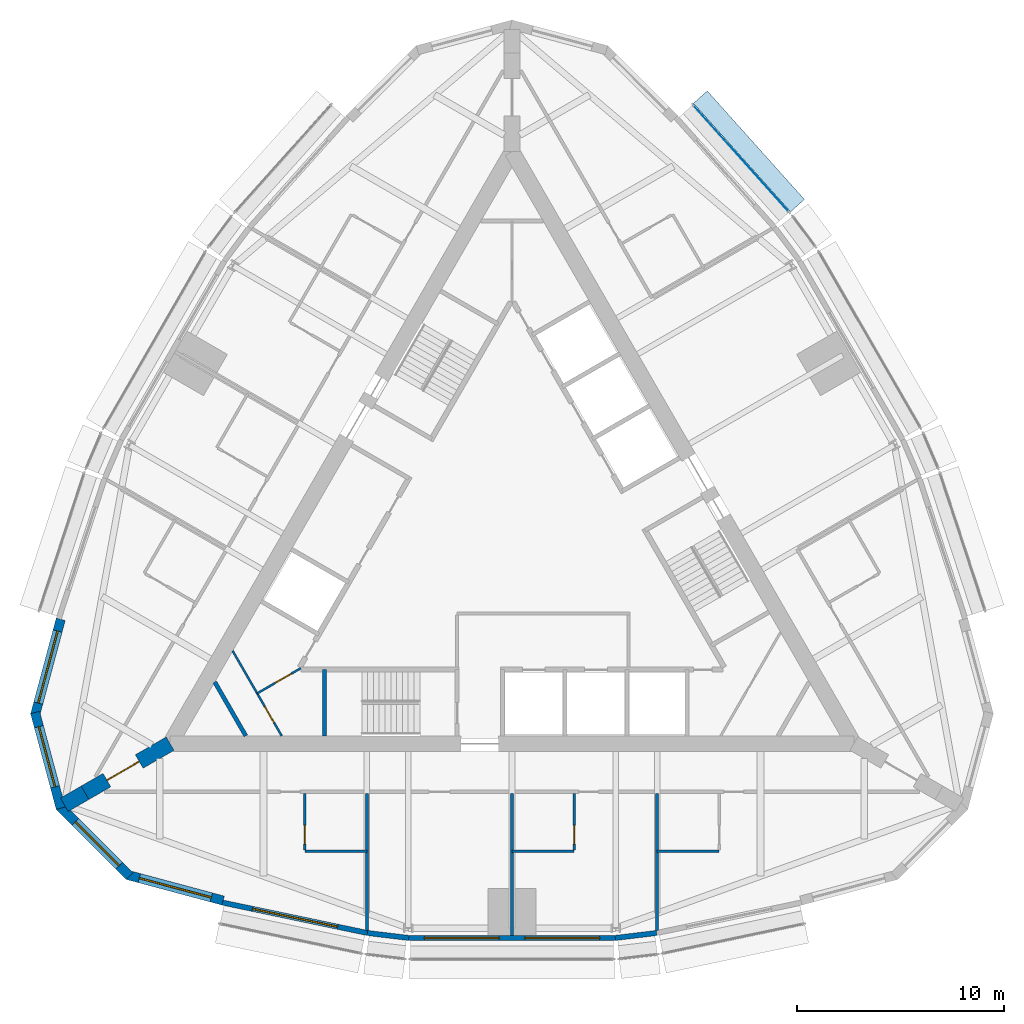
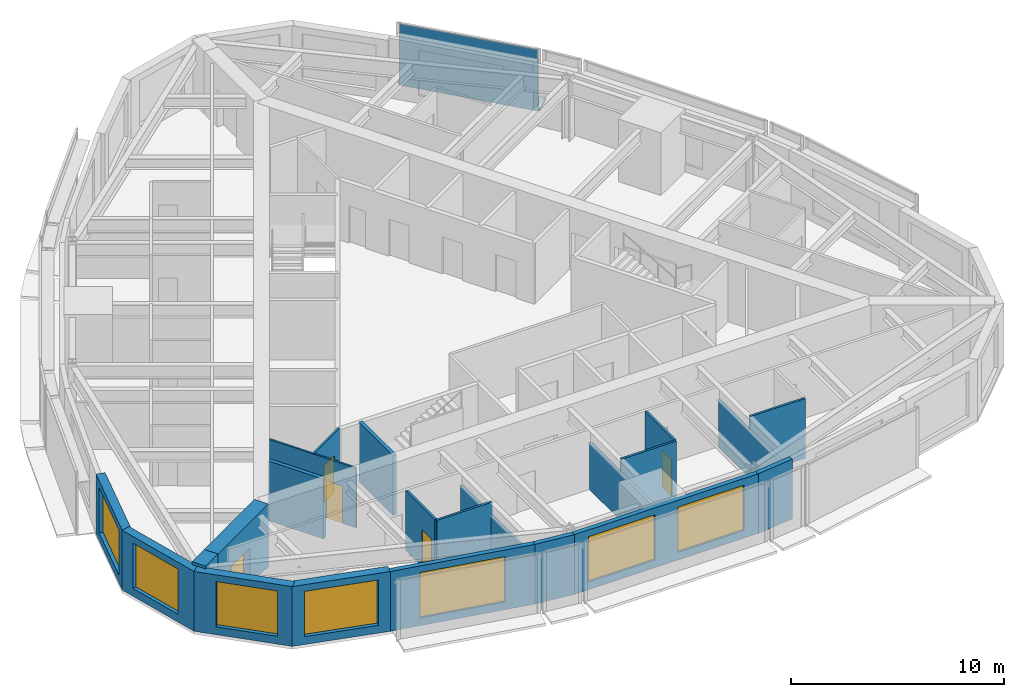
# One storey, part 7 of 12: 22 walls, 7 windows, 5 doors, 2 plates, 12 openings, 1 element without a shape of its own.
"""IFC4 building model written with IfcOpenShell, lengths in metres."""

from ifc_helpers import new_model, si_unit, direction, frame, frame_2d, origin, origin_2d, place, context, subcontext, project, spatial, polyline, rectangle, outline, extrude, material, layer, layer_set, type_object, element, fill, aggregate, save


model = new_model("IFC4")

# Units and contexts
model_context = context("Model", 3, precision=1e-05, world=origin(), true_north=direction((0.0, 1.0)))
body_context = subcontext(model_context, "Body", "Model", "MODEL_VIEW")
ifc_project = project(units=[si_unit("LENGTHUNIT", "METRE"), si_unit("AREAUNIT", "SQUARE_METRE"), si_unit("VOLUMEUNIT", "CUBIC_METRE"), si_unit("PLANEANGLEUNIT", "RADIAN"), si_unit("MASSUNIT", "GRAM", prefix="KILO")], contexts=[model_context])

# Site, building, storey
site_placement = place(None, origin())
site = spatial("IfcSite", under=ifc_project, at=site_placement, CompositionType="ELEMENT")
building_placement = place(site_placement, origin())
building = spatial("IfcBuilding", under=site, at=building_placement, Name="Trikona Tower", CompositionType="ELEMENT")
storey_placement = place(building_placement, frame((0.0, 0.0, 242.89990234375)))
storey = spatial("IfcBuildingStorey", under=building, at=storey_placement, Name="L64", CompositionType="ELEMENT", Elevation=242.89990234375)

# Curtain wall, plate
ifc_material_1 = material(Name="Aluminium curtain wall system", Category="aluminium")
curtain_wall_type = type_object("IfcCurtainWallType", Name="Curtain wall DS3", PredefinedType="NOTDEFINED", material=ifc_material_1)
curtain_wall_placement = place(storey_placement, origin())
curtain_wall = element("IfcCurtainWall", 1, at=curtain_wall_placement, inside=storey, type_object=curtain_wall_type, Name="Curtain wall DS3 L64", PredefinedType="NOTDEFINED")
ifc_material_2 = material(Name="Laminated clear glass", Category="glass")
ifc_layer_1 = layer(ifc_material_2, 0.028076171875)
ifc_layer_set_1 = layer_set([ifc_layer_1], Name="Glass panel DS3")
plate_type_1 = type_object("IfcPlateType", Name="Glass panel DS3", PredefinedType="CURTAIN_PANEL", material=ifc_layer_set_1)
plate_1_placement = place(storey_placement, frame((11.056884765625, 18.7216796875, 0.0), z_axis=(0.0, 0.0, 1.0), x_axis=(-0.667319643748, 0.744771436797, 0.0)))
plate_1 = element("IfcPlate", 2, at=plate_1_placement, type_object=plate_type_1, Name="CW-DS3 panel 1.1", PredefinedType="CURTAIN_PANEL", context=body_context, shape_type="SweptSolid", body=[
    extrude(rectangle(XDim=6.892822265625, YDim=0.028076171875, at=origin_2d()), origin(), (0.0, 0.0, 1.0), 3.530029296875),
])
aggregate(curtain_wall, [plate_1])

# Plate
ifc_material_3 = material(Name="Aluminium plate fin, pale anodised, on stainless steel outriggers", Category="steel")
ifc_layer_2 = layer(ifc_material_3, 0.14990234375)
ifc_layer_set_2 = layer_set([ifc_layer_2], Name="Outer skin fin 900")
plate_type_2 = type_object("IfcPlateType", Name="Outer skin fin 900", PredefinedType="USERDEFINED", material=ifc_layer_set_2)
plate_2_placement = place(storey_placement, frame((11.436767578125, 19.06201171875, 0.000244140625), z_axis=(0.0, 0.0, 1.0), x_axis=(-0.667311465398, 0.744778764566, 0.0)))
element("IfcPlate", 3, at=plate_2_placement, inside=storey, type_object=plate_type_2, Name="Outer skin fin L64-13", ObjectType="FIN", PredefinedType="USERDEFINED", context=body_context, shape_type="SweptSolid", body=[
    extrude(rectangle(XDim=7.03271484375, YDim=0.89990234375, at=origin_2d()), origin(), (0.0, 0.0, 1.0), 0.14990234375),
])

# Wall
ifc_material_4 = material(Name="Metal stud and cement board", Category="gypsum")
ifc_layer_3 = layer(ifc_material_4, 0.1201171875)
ifc_layer_set_3 = layer_set([ifc_layer_3], Name="Bathroom wall 120")
wall_type_1 = type_object("IfcWallType", Name="Bathroom wall 120", PredefinedType="PLUMBINGWALL", material=ifc_layer_set_3)
wall_1_placement = place(storey_placement, frame((-10.0, -14.726318359375, 0.0), z_axis=(0.0, 0.0, 1.0), x_axis=(1.0, 0.0, 0.0)))
element("IfcWall", 4, at=wall_1_placement, inside=storey, type_object=wall_type_1, Name="Bathroom wall 6401", PredefinedType="PLUMBINGWALL", context=body_context, shape_type="SweptSolid", body=[
    extrude(rectangle(XDim=3.0, YDim=0.1201171875, at=frame_2d((1.5, 0.0))), origin(), (0.0, 0.0, 1.0), 3.43505859375),
])

# Wall, opening, door
wall_2_placement = place(storey_placement, frame((-10.0, -11.92626953125, 0.0), z_axis=(0.0, 0.0, 1.0), x_axis=(0.0, -1.0, 0.0)))
wall_2 = element("IfcWall", 5, at=wall_2_placement, inside=storey, type_object=wall_type_1, Name="Bathroom wall 6401", PredefinedType="PLUMBINGWALL", context=body_context, shape_type="SweptSolid", body=[
    extrude(rectangle(XDim=2.739990234375, YDim=0.1201171875, at=frame_2d((1.3701171875, 0.0))), origin(), (0.0, 0.0, 1.0), 3.43505859375),
])
opening_1_placement = place(wall_2_placement, frame((1.550048828125, 0.0, 0.0)))
opening_1 = element("IfcOpeningElement", 6, at=opening_1_placement, cuts=wall_2, Name="Opening D2", PredefinedType="OPENING", context=body_context, shape_type="SweptSolid", body=[
    extrude(rectangle(XDim=0.89990234375, YDim=2.1298828125, at=frame_2d((0.449951171875, 1.06494140625))), frame((0.0, 0.070068359375, 0.0), z_axis=(0.0, -1.0, 0.0), x_axis=(1.0, 0.0, 0.0)), (0.0, 0.0, 1.0), 0.14013671875),
])
ifc_material_5 = material(Name="Steel door frame with solid-core timber leaf", Category="steel")
door_type_1 = type_object("IfcDoorType", Name="Bathroom door 900x2130", OperationType="SLIDING_TO_LEFT", PredefinedType="DOOR", material=ifc_material_5)
door_1_placement = place(opening_1_placement, origin())
door_1 = element("IfcDoor", 7, at=door_1_placement, inside=storey, type_object=door_type_1, Name="Bathroom door 6401", OperationType="SLIDING_TO_LEFT", OverallHeight=2.1298828125, OverallWidth=0.89990234375, PredefinedType="DOOR", context=body_context, shape_type="SweptSolid", body=[
    extrude(rectangle(XDim=0.89990234375, YDim=2.1298828125, at=frame_2d((0.449951171875, 1.06494140625))), frame((0.0, 0.02490234375, 0.0), z_axis=(0.0, -1.0, 0.0), x_axis=(1.0, 0.0, 0.0)), (0.0, 0.0, 1.0), 0.050048828125),
])
fill(opening_1, door_1)

# Wall
wall_3_placement = place(storey_placement, frame((0.0, -14.726318359375, 0.0), z_axis=(0.0, 0.0, 1.0), x_axis=(1.0, 0.0, 0.0)))
element("IfcWall", 8, at=wall_3_placement, inside=storey, type_object=wall_type_1, Name="Bathroom wall 6402", PredefinedType="PLUMBINGWALL", context=body_context, shape_type="SweptSolid", body=[
    extrude(rectangle(XDim=3.0, YDim=0.1201171875, at=frame_2d((1.5, 0.0))), origin(), (0.0, 0.0, 1.0), 3.43505859375),
])

# Wall, opening, door
wall_4_placement = place(storey_placement, frame((3.0, -11.92626953125, 0.0), z_axis=(0.0, 0.0, 1.0), x_axis=(0.0, -1.0, 0.0)))
wall_4 = element("IfcWall", 9, at=wall_4_placement, inside=storey, type_object=wall_type_1, Name="Bathroom wall 6402", PredefinedType="PLUMBINGWALL", context=body_context, shape_type="SweptSolid", body=[
    extrude(rectangle(XDim=2.739990234375, YDim=0.1201171875, at=frame_2d((1.3701171875, 0.0))), origin(), (0.0, 0.0, 1.0), 3.43505859375),
])
opening_2_placement = place(wall_4_placement, frame((1.550048828125, 0.0, 0.0)))
opening_2 = element("IfcOpeningElement", 10, at=opening_2_placement, cuts=wall_4, Name="Opening D2", PredefinedType="OPENING", context=body_context, shape_type="SweptSolid", body=[
    extrude(rectangle(XDim=0.89990234375, YDim=2.1298828125, at=frame_2d((0.449951171875, 1.06494140625))), frame((0.0, 0.070068359375, 0.0), z_axis=(0.0, -1.0, 0.0), x_axis=(1.0, 0.0, 0.0)), (0.0, 0.0, 1.0), 0.14013671875),
])
door_2_placement = place(opening_2_placement, origin())
door_2 = element("IfcDoor", 11, at=door_2_placement, inside=storey, type_object=door_type_1, Name="Bathroom door 6402", OperationType="SLIDING_TO_LEFT", OverallHeight=2.1298828125, OverallWidth=0.89990234375, PredefinedType="DOOR", context=body_context, shape_type="SweptSolid", body=[
    extrude(rectangle(XDim=0.89990234375, YDim=2.1298828125, at=frame_2d((0.449951171875, 1.06494140625))), frame((0.0, 0.02490234375, 0.0), z_axis=(0.0, -1.0, 0.0), x_axis=(1.0, 0.0, 0.0)), (0.0, 0.0, 1.0), 0.050048828125),
])
fill(opening_2, door_2)

# Wall
wall_5_placement = place(storey_placement, frame((7.0, -14.726318359375, 0.0), z_axis=(0.0, 0.0, 1.0), x_axis=(1.0, 0.0, 0.0)))
element("IfcWall", 12, at=wall_5_placement, inside=storey, type_object=wall_type_1, Name="Bathroom wall 6403", PredefinedType="PLUMBINGWALL", context=body_context, shape_type="SweptSolid", body=[
    extrude(rectangle(XDim=3.0, YDim=0.1201171875, at=frame_2d((1.5, 0.0))), origin(), (0.0, 0.0, 1.0), 3.43505859375),
])

# Wall, opening, window
ifc_material_6 = material(Name="Brick-faced precast concrete", Category="masonry")
ifc_layer_4 = layer(ifc_material_6, 0.449951171875)
ifc_layer_set_4 = layer_set([ifc_layer_4], Name="Brick-faced corner wall 450")
wall_type_2 = type_object("IfcWallType", Name="Brick-faced corner wall 450", PredefinedType="SOLIDWALL", material=ifc_layer_set_4)
wall_6_placement = place(storey_placement, frame((-21.78271484375, -3.522216796875, 0.0), z_axis=(0.0, 0.0, 1.0), x_axis=(-0.25880328844, -0.965930048136, 0.0)))
wall_6 = element("IfcWall", 13, at=wall_6_placement, inside=storey, type_object=wall_type_2, Name="External wall L64-23", PredefinedType="SOLIDWALL", context=body_context, shape_type="SweptSolid", body=[
    extrude(rectangle(XDim=4.78173828125, YDim=0.449951171875, at=frame_2d((2.390869140625, 0.0))), origin(), (0.0, 0.0, 1.0), 3.43505859375),
])
opening_3_placement = place(wall_6_placement, frame((0.5908203125, 0.0, 0.449951171875)))
opening_3 = element("IfcOpeningElement", 14, at=opening_3_placement, cuts=wall_6, Name="Opening W3626", PredefinedType="OPENING", context=body_context, shape_type="SweptSolid", body=[
    extrude(rectangle(XDim=3.60009765625, YDim=2.60009765625, at=frame_2d((1.800048828125, 1.300048828125))), frame((0.0, 0.23486328125, 0.0), z_axis=(0.0, -1.0, 0.0), x_axis=(1.0, 0.0, 0.0)), (0.0, 0.0, 1.0), 0.469970703125),
])
ifc_material_7 = material(Name="Aluminium-framed double glazing", Category="aluminium")
window_type_1 = type_object("IfcWindowType", Name="Window 3600x2600", PartitioningType="SINGLE_PANEL", PredefinedType="WINDOW", material=ifc_material_7)
window_1_placement = place(opening_3_placement, origin())
window_1 = element("IfcWindow", 15, at=window_1_placement, inside=storey, type_object=window_type_1, Name="Window 6409", OverallHeight=2.60009765625, OverallWidth=3.60009765625, PartitioningType="SINGLE_PANEL", PredefinedType="WINDOW", context=body_context, shape_type="SweptSolid", body=[
    extrude(rectangle(XDim=3.60009765625, YDim=2.60009765625, at=frame_2d((1.800048828125, 1.300048828125))), frame((0.0, 0.030029296875, 0.0), z_axis=(0.0, -1.0, 0.0), x_axis=(1.0, 0.0, 0.0)), (0.0, 0.0, 1.0), 0.06005859375),
])
fill(opening_3, window_1)

wall_7_placement = place(storey_placement, frame((-23.020263671875, -8.024658203125, 0.0), z_axis=(0.0, 0.0, 1.0), x_axis=(0.25880328844, -0.965930048136, 0.0)))
wall_7 = element("IfcWall", 16, at=wall_7_placement, inside=storey, type_object=wall_type_2, Name="External wall L64-24", PredefinedType="SOLIDWALL", context=body_context, shape_type="SweptSolid", body=[
    extrude(outline(polyline([(4.78173828125, 0.22509765625), (4.72216796875, 0.22509765625), (4.302978515625, 0.112548828125), (4.27294921875, 0.22509765625), (0.0, 0.22509765625), (0.0, -0.22509765625), (4.78173828125, -0.22509765625), (4.78173828125, 0.22509765625)])), origin(), (0.0, 0.0, 1.0), 3.43505859375),
])
opening_4_placement = place(wall_7_placement, frame((0.71142578125, 0.0, 0.449951171875)))
opening_4 = element("IfcOpeningElement", 17, at=opening_4_placement, cuts=wall_7, Name="Opening W3026", PredefinedType="OPENING", context=body_context, shape_type="SweptSolid", body=[
    extrude(rectangle(XDim=3.0, YDim=2.60009765625, at=frame_2d((1.5, 1.300048828125))), frame((0.0, 0.23486328125, 0.0), z_axis=(0.0, -1.0, 0.0), x_axis=(1.0, 0.0, 0.0)), (0.0, 0.0, 1.0), 0.469970703125),
])
ifc_material_8 = material(Name="Aluminium-framed double glazing", Category="aluminium")
window_type_2 = type_object("IfcWindowType", Name="Window 3000x2600", PartitioningType="SINGLE_PANEL", PredefinedType="WINDOW", material=ifc_material_8)
window_2_placement = place(opening_4_placement, origin())
window_2 = element("IfcWindow", 18, at=window_2_placement, inside=storey, type_object=window_type_2, Name="Window 6409", OverallHeight=2.60009765625, OverallWidth=3.0, PartitioningType="SINGLE_PANEL", PredefinedType="WINDOW", context=body_context, shape_type="SweptSolid", body=[
    extrude(rectangle(XDim=3.0, YDim=2.60009765625, at=frame_2d((1.5, 1.300048828125))), frame((0.0, 0.030029296875, 0.0), z_axis=(0.0, -1.0, 0.0), x_axis=(1.0, 0.0, 0.0)), (0.0, 0.0, 1.0), 0.06005859375),
])
fill(opening_4, window_2)

wall_8_placement = place(storey_placement, frame((-21.8408203125, -12.54248046875, 0.0), z_axis=(0.0, 0.0, 1.0), x_axis=(0.707081252484, -0.707132308968, 0.0)))
wall_8 = element("IfcWall", 19, at=wall_8_placement, inside=storey, type_object=wall_type_2, Name="External wall L64-25", PredefinedType="SOLIDWALL", context=body_context, shape_type="SweptSolid", body=[
    extrude(outline(polyline([(4.78173828125, 0.22509765625), (0.5087890625, 0.22509765625), (0.478759765625, 0.112548828125), (0.058837890625, 0.22509765625), (0.0, 0.22509765625), (0.0, -0.22509765625), (4.78173828125, -0.22509765625), (4.78173828125, 0.22509765625)])), origin(), (0.0, 0.0, 1.0), 3.43505859375),
])
opening_5_placement = place(wall_8_placement, frame((1.0703125, 0.0, 0.449951171875)))
opening_5 = element("IfcOpeningElement", 20, at=opening_5_placement, cuts=wall_8, Name="Opening W3026", PredefinedType="OPENING", context=body_context, shape_type="SweptSolid", body=[
    extrude(rectangle(XDim=3.0, YDim=2.60009765625, at=frame_2d((1.5, 1.300048828125))), frame((0.0, 0.23486328125, 0.0), z_axis=(0.0, -1.0, 0.0), x_axis=(1.0, 0.0, 0.0)), (0.0, 0.0, 1.0), 0.469970703125),
])
window_3_placement = place(opening_5_placement, origin())
window_3 = element("IfcWindow", 21, at=window_3_placement, inside=storey, type_object=window_type_2, Name="Window 6401", OverallHeight=2.60009765625, OverallWidth=3.0, PartitioningType="SINGLE_PANEL", PredefinedType="WINDOW", context=body_context, shape_type="SweptSolid", body=[
    extrude(rectangle(XDim=3.0, YDim=2.60009765625, at=frame_2d((1.5, 1.300048828125))), frame((0.0, 0.030029296875, 0.0), z_axis=(0.0, -1.0, 0.0), x_axis=(1.0, 0.0, 0.0)), (0.0, 0.0, 1.0), 0.06005859375),
])
fill(opening_5, window_3)

wall_9_placement = place(storey_placement, frame((-18.560546875, -15.865478515625, 0.0), z_axis=(0.0, 0.0, 1.0), x_axis=(0.965913862671, -0.258863689806, 0.0)))
wall_9 = element("IfcWall", 22, at=wall_9_placement, inside=storey, type_object=wall_type_2, Name="External wall L64-26", PredefinedType="SOLIDWALL", context=body_context, shape_type="SweptSolid", body=[
    extrude(rectangle(XDim=4.78173828125, YDim=0.449951171875, at=frame_2d((2.390869140625, 0.0))), origin(), (0.0, 0.0, 1.0), 3.43505859375),
])
opening_6_placement = place(wall_9_placement, frame((0.5908203125, 0.0, 0.449951171875)))
opening_6 = element("IfcOpeningElement", 23, at=opening_6_placement, cuts=wall_9, Name="Opening W3626", PredefinedType="OPENING", context=body_context, shape_type="SweptSolid", body=[
    extrude(rectangle(XDim=3.60009765625, YDim=2.60009765625, at=frame_2d((1.800048828125, 1.300048828125))), frame((0.0, 0.23486328125, 0.0), z_axis=(0.0, -1.0, 0.0), x_axis=(1.0, 0.0, 0.0)), (0.0, 0.0, 1.0), 0.469970703125),
])
window_4_placement = place(opening_6_placement, origin())
window_4 = element("IfcWindow", 24, at=window_4_placement, inside=storey, type_object=window_type_1, Name="Window 6401", OverallHeight=2.60009765625, OverallWidth=3.60009765625, PartitioningType="SINGLE_PANEL", PredefinedType="WINDOW", context=body_context, shape_type="SweptSolid", body=[
    extrude(rectangle(XDim=3.60009765625, YDim=2.60009765625, at=frame_2d((1.800048828125, 1.300048828125))), frame((0.0, 0.030029296875, 0.0), z_axis=(0.0, -1.0, 0.0), x_axis=(1.0, 0.0, 0.0)), (0.0, 0.0, 1.0), 0.06005859375),
])
fill(opening_6, window_4)

# Wall, opening, door
ifc_material_9 = material(Name="Concrete f'c 10000 psi", Category="concrete")
ifc_layer_5 = layer(ifc_material_9, 0.75)
ifc_layer_set_5 = layer_set([ifc_layer_5], Name="Buttress wall 750")
wall_type_3 = type_object("IfcWallType", Name="Buttress wall 750", PredefinedType="SHEAR", material=ifc_layer_set_5)
wall_10_placement = place(storey_placement, frame((-16.5, -9.5263671875, 0.0), z_axis=(0.0, 0.0, 1.0), x_axis=(-0.866031398331, -0.499989616998, 0.0)))
wall_10 = element("IfcWall", 25, at=wall_10_placement, inside=storey, type_object=wall_type_3, Name="Buttress wall 3", PredefinedType="SHEAR", context=body_context, shape_type="SweptSolid", body=[
    extrude(rectangle(XDim=4.74609375, YDim=0.75, at=frame_2d((2.373046875, 0.0))), origin(), (0.0, 0.0, 1.0), 3.60009765625),
])
opening_7_placement = place(wall_10_placement, frame((1.72509765625, 0.0, 0.0)))
opening_7 = element("IfcOpeningElement", 26, at=opening_7_placement, cuts=wall_10, Name="Opening D10", PredefinedType="OPENING", context=body_context, shape_type="SweptSolid", body=[
    extrude(rectangle(XDim=1.800048828125, YDim=2.1298828125, at=frame_2d((0.89990234375, 1.06494140625))), frame((0.0, 0.385009765625, 0.0), z_axis=(0.0, -1.0, 0.0), x_axis=(1.0, 0.0, 0.0)), (0.0, 0.0, 1.0), 0.77001953125),
])
ifc_material_10 = material(Name="Hollow metal door and frame", Category="steel")
door_type_2 = type_object("IfcDoorType", Name="Cross-corridor door pair 1800x2130", OperationType="DOUBLE_DOOR_DOUBLE_SWING", PredefinedType="DOOR", material=ifc_material_10)
door_3_placement = place(opening_7_placement, origin())
door_3 = element("IfcDoor", 27, at=door_3_placement, inside=storey, type_object=door_type_2, Name="Cross-corridor door 3", OperationType="DOUBLE_DOOR_DOUBLE_SWING", OverallHeight=2.1298828125, OverallWidth=1.800048828125, PredefinedType="DOOR", context=body_context, shape_type="SweptSolid", body=[
    extrude(rectangle(XDim=1.800048828125, YDim=2.1298828125, at=frame_2d((0.89990234375, 1.06494140625))), frame((0.0, 0.02490234375, 0.0), z_axis=(0.0, -1.0, 0.0), x_axis=(1.0, 0.0, 0.0)), (0.0, 0.0, 1.0), 0.050048828125),
])
fill(opening_7, door_3)

# Wall
wall_11_placement = place(storey_placement, frame((-20.6103515625, -11.8994140625, 0.0), z_axis=(0.0, 0.0, 1.0), x_axis=(-0.866009537788, -0.500027479704, 0.0)))
element("IfcWall", 28, at=wall_11_placement, inside=storey, type_object=wall_type_3, Name="Buttress wall 3 part 2", PredefinedType="SHEAR", context=body_context, shape_type="SweptSolid", body=[
    extrude(rectangle(XDim=1.15478515625, YDim=0.75, at=frame_2d((0.577392578125, 0.0))), origin(), (0.0, 0.0, 1.0), 3.60009765625),
])

# Wall, opening, window
ifc_material_11 = material(Name="Insulated precast concrete spandrel panel", Category="concrete")
ifc_layer_6 = layer(ifc_material_11, 0.25)
ifc_layer_set_6 = layer_set([ifc_layer_6], Name="Inner skin wall 250")
wall_type_4 = type_object("IfcWallType", Name="Inner skin wall 250", PredefinedType="STANDARD", material=ifc_layer_set_6)
wall_12_placement = place(storey_placement, frame((-13.974365234375, -17.1982421875, 0.0), z_axis=(0.0, 0.0, 1.0), x_axis=(0.978654320409, -0.205513311355, 0.0)))
wall_12 = element("IfcWall", 29, at=wall_12_placement, inside=storey, type_object=wall_type_4, Name="External wall L64-00", PredefinedType="STANDARD", context=body_context, shape_type="SweptSolid", body=[
    extrude(rectangle(XDim=7.152587890625, YDim=0.25, at=frame_2d((3.576171875, 0.0))), origin(), (0.0, 0.0, 1.0), 3.43505859375),
])
opening_8_placement = place(wall_12_placement, frame((1.476318359375, 0.0, 0.449951171875)))
opening_8 = element("IfcOpeningElement", 30, at=opening_8_placement, cuts=wall_12, Name="Opening W4226", PredefinedType="OPENING", context=body_context, shape_type="SweptSolid", body=[
    extrude(rectangle(XDim=4.199951171875, YDim=2.60009765625, at=frame_2d((2.10009765625, 1.300048828125))), frame((0.0, 0.135009765625, 0.0), z_axis=(0.0, -1.0, 0.0), x_axis=(1.0, 0.0, 0.0)), (0.0, 0.0, 1.0), 0.27001953125),
])
ifc_material_12 = material(Name="Aluminium-framed double glazing", Category="aluminium")
window_type_3 = type_object("IfcWindowType", Name="Window 4200x2600", PartitioningType="SINGLE_PANEL", PredefinedType="WINDOW", material=ifc_material_12)
window_5_placement = place(opening_8_placement, origin())
window_5 = element("IfcWindow", 31, at=window_5_placement, inside=storey, type_object=window_type_3, Name="Window 6401", OverallHeight=2.60009765625, OverallWidth=4.199951171875, PartitioningType="SINGLE_PANEL", PredefinedType="WINDOW", context=body_context, shape_type="SweptSolid", body=[
    extrude(rectangle(XDim=4.199951171875, YDim=2.60009765625, at=frame_2d((2.10009765625, 1.300048828125))), frame((0.0, 0.030029296875, 0.0), z_axis=(0.0, -1.0, 0.0), x_axis=(1.0, 0.0, 0.0)), (0.0, 0.0, 1.0), 0.06005859375),
])
fill(opening_8, window_5)

# Wall
wall_13_placement = place(storey_placement, frame((-6.985107421875, -18.66650390625, 0.0), z_axis=(0.0, 0.0, 1.0), x_axis=(0.992877411981, -0.119140441403, 0.0)))
element("IfcWall", 32, at=wall_13_placement, inside=storey, type_object=wall_type_4, Name="External wall L64-01", PredefinedType="STANDARD", context=body_context, shape_type="SweptSolid", body=[
    extrude(rectangle(XDim=2.014404296875, YDim=0.25, at=frame_2d((1.00732421875, 0.0))), origin(), (0.0, 0.0, 1.0), 3.43505859375),
])

# Wall, openings, windows
wall_14_placement = place(storey_placement, frame((-5.0, -18.905517578125, 0.0), z_axis=(0.0, 0.0, 1.0), x_axis=(1.0, 0.0, 0.0)))
wall_14 = element("IfcWall", 33, at=wall_14_placement, inside=storey, type_object=wall_type_4, Name="External wall L64-02", PredefinedType="STANDARD", context=body_context, shape_type="SweptSolid", body=[
    extrude(rectangle(XDim=10.0, YDim=0.25, at=frame_2d((5.0, 0.0))), origin(), (0.0, 0.0, 1.0), 3.43505859375),
])
opening_9_placement = place(wall_14_placement, frame((0.77490234375, 0.0, 0.449951171875)))
opening_9 = element("IfcOpeningElement", 34, at=opening_9_placement, cuts=wall_14, Name="Opening W3626", PredefinedType="OPENING", context=body_context, shape_type="SweptSolid", body=[
    extrude(rectangle(XDim=3.60009765625, YDim=2.60009765625, at=frame_2d((1.800048828125, 1.300048828125))), frame((0.0, 0.135009765625, 0.0), z_axis=(0.0, -1.0, 0.0), x_axis=(1.0, 0.0, 0.0)), (0.0, 0.0, 1.0), 0.27001953125),
])
opening_10_placement = place(wall_14_placement, frame((5.625, 0.0, 0.449951171875)))
opening_10 = element("IfcOpeningElement", 35, at=opening_10_placement, cuts=wall_14, Name="Opening W3626", PredefinedType="OPENING", context=body_context, shape_type="SweptSolid", body=[
    extrude(rectangle(XDim=3.60009765625, YDim=2.60009765625, at=frame_2d((1.800048828125, 1.300048828125))), frame((0.0, 0.135009765625, 0.0), z_axis=(0.0, -1.0, 0.0), x_axis=(1.0, 0.0, 0.0)), (0.0, 0.0, 1.0), 0.27001953125),
])
window_6_placement = place(opening_9_placement, origin())
window_6 = element("IfcWindow", 36, at=window_6_placement, inside=storey, type_object=window_type_1, Name="Window L64-HKP", OverallHeight=2.60009765625, OverallWidth=3.60009765625, PartitioningType="SINGLE_PANEL", PredefinedType="WINDOW", context=body_context, shape_type="SweptSolid", body=[
    extrude(rectangle(XDim=3.60009765625, YDim=2.60009765625, at=frame_2d((1.800048828125, 1.300048828125))), frame((0.0, 0.030029296875, 0.0), z_axis=(0.0, -1.0, 0.0), x_axis=(1.0, 0.0, 0.0)), (0.0, 0.0, 1.0), 0.06005859375),
])
fill(opening_9, window_6)
window_7_placement = place(opening_10_placement, origin())
window_7 = element("IfcWindow", 37, at=window_7_placement, inside=storey, type_object=window_type_1, Name="Window 6402", OverallHeight=2.60009765625, OverallWidth=3.60009765625, PartitioningType="SINGLE_PANEL", PredefinedType="WINDOW", context=body_context, shape_type="SweptSolid", body=[
    extrude(rectangle(XDim=3.60009765625, YDim=2.60009765625, at=frame_2d((1.800048828125, 1.300048828125))), frame((0.0, 0.030029296875, 0.0), z_axis=(0.0, -1.0, 0.0), x_axis=(1.0, 0.0, 0.0)), (0.0, 0.0, 1.0), 0.06005859375),
])
fill(opening_10, window_7)

# Walls
wall_15_placement = place(storey_placement, frame((4.985107421875, -18.906494140625, 0.0), z_axis=(0.0, 0.0, 1.0), x_axis=(0.992877411981, 0.119140441403, 0.0)))
element("IfcWall", 38, at=wall_15_placement, inside=storey, type_object=wall_type_4, Name="External wall L64-03", PredefinedType="STANDARD", context=body_context, shape_type="SweptSolid", body=[
    extrude(rectangle(XDim=2.014404296875, YDim=0.25, at=frame_2d((1.00732421875, 0.0))), origin(), (0.0, 0.0, 1.0), 3.43505859375),
])
ifc_material_13 = material(Name="Metal stud and gypsum board, 1-hour acoustic", Category="gypsum")
ifc_layer_7 = layer(ifc_material_13, 0.14990234375)
ifc_layer_set_7 = layer_set([ifc_layer_7], Name="Party wall 150")
wall_type_5 = type_object("IfcWallType", Name="Party wall 150", PredefinedType="PARTITIONING", material=ifc_layer_set_7)
wall_16_placement = place(storey_placement, frame((-7.0, -11.92626953125, 0.0), z_axis=(0.0, 0.0, 1.0), x_axis=(0.0, -1.0, 0.0)))
element("IfcWall", 39, at=wall_16_placement, inside=storey, type_object=wall_type_5, Name="Partition L64 F1 u-7", PredefinedType="PARTITIONING", context=body_context, shape_type="SweptSolid", body=[
    extrude(rectangle(XDim=6.608642578125, YDim=0.14990234375, at=frame_2d((3.30419921875, 0.0))), origin(), (0.0, 0.0, 1.0), 2.677978515625),
])
wall_17_placement = place(storey_placement, frame((0.0, -11.92626953125, 0.0), z_axis=(0.0, 0.0, 1.0), x_axis=(0.0, -1.0, 0.0)))
element("IfcWall", 40, at=wall_17_placement, inside=storey, type_object=wall_type_5, Name="Partition L64 F1 u0", PredefinedType="PARTITIONING", context=body_context, shape_type="SweptSolid", body=[
    extrude(rectangle(XDim=6.854248046875, YDim=0.14990234375, at=frame_2d((3.42724609375, 0.0))), origin(), (0.0, 0.0, 1.0), 2.677978515625),
])
wall_18_placement = place(storey_placement, frame((7.0, -11.92626953125, 0.0), z_axis=(0.0, 0.0, 1.0), x_axis=(0.0, -1.0, 0.0)))
element("IfcWall", 41, at=wall_18_placement, inside=storey, type_object=wall_type_5, Name="Partition L64 F1 u7", PredefinedType="PARTITIONING", context=body_context, shape_type="SweptSolid", body=[
    extrude(rectangle(XDim=6.608642578125, YDim=0.14990234375, at=frame_2d((3.30419921875, 0.0))), origin(), (0.0, 0.0, 1.0), 2.677978515625),
])
ifc_material_14 = material(Name="Concrete f'c 8000 psi", Category="concrete")
ifc_layer_8 = layer(ifc_material_14, 0.199951171875)
ifc_layer_set_8 = layer_set([ifc_layer_8], Name="Shaft wall 200")
wall_type_6 = type_object("IfcWallType", Name="Shaft wall 200", PredefinedType="SOLIDWALL", material=ifc_layer_set_8)
wall_19_placement = place(storey_placement, frame((-12.848388671875, -9.1513671875, 0.0), z_axis=(0.0, 0.0, 1.0), x_axis=(-0.499952404951, 0.866052881055, 0.0)))
element("IfcWall", 42, at=wall_19_placement, inside=storey, type_object=wall_type_6, Name="Riser wall L64-RS3", PredefinedType="SOLIDWALL", context=body_context, shape_type="SweptSolid", body=[
    extrude(rectangle(XDim=3.002197265625, YDim=0.199951171875, at=frame_2d((1.5009765625, 0.0))), origin(), (0.0, 0.0, 1.0), 3.43505859375),
])
ifc_material_15 = material(Name="Concrete f'c 8000 psi", Category="concrete")
ifc_layer_9 = layer(ifc_material_15, 0.199951171875)
ifc_layer_set_9 = layer_set([ifc_layer_9], Name="Shaft wall 200 load-bearing")
wall_type_7 = type_object("IfcWallType", Name="Shaft wall 200 load-bearing", PredefinedType="SOLIDWALL", material=ifc_layer_set_9)
wall_20_placement = place(storey_placement, frame((-9.050048828125, -5.951416015625, 0.0), z_axis=(0.0, 0.0, 1.0), x_axis=(0.0, -1.0, 0.0)))
element("IfcWall", 43, at=wall_20_placement, inside=storey, type_object=wall_type_7, Name="Shaft wall A1", PredefinedType="SOLIDWALL", context=body_context, shape_type="SweptSolid", body=[
    extrude(rectangle(XDim=3.199951171875, YDim=0.199951171875, at=frame_2d((1.60009765625, 0.0))), origin(), (0.0, 0.0, 1.0), 3.43505859375),
])

# Wall, opening, door
ifc_material_16 = material(Name="Metal stud and gypsum board, acoustic", Category="gypsum")
ifc_layer_10 = layer(ifc_material_16, 0.10009765625)
ifc_layer_set_10 = layer_set([ifc_layer_10], Name="Suite partition 100")
wall_type_8 = type_object("IfcWallType", Name="Suite partition 100", PredefinedType="PARTITIONING", material=ifc_layer_set_10)
wall_21_placement = place(storey_placement, frame((-11.1162109375, -9.1513671875, 0.0), z_axis=(0.0, 0.0, 1.0), x_axis=(-0.499999210213, 0.866025859768, 0.0)))
wall_21 = element("IfcWall", 44, at=wall_21_placement, inside=storey, type_object=wall_type_8, Name="Store partition L64-RS3", PredefinedType="PARTITIONING", context=body_context, shape_type="SweptSolid", body=[
    extrude(rectangle(XDim=4.734375, YDim=0.10009765625, at=frame_2d((2.3671875, 0.0))), origin(), (0.0, 0.0, 1.0), 3.43505859375),
])
opening_11_placement = place(wall_21_placement, frame((0.733642578125, 0.0, 0.0)))
opening_11 = element("IfcOpeningElement", 45, at=opening_11_placement, cuts=wall_21, Name="Opening D15", PredefinedType="OPENING", context=body_context, shape_type="SweptSolid", body=[
    extrude(rectangle(XDim=0.89990234375, YDim=2.1298828125, at=frame_2d((0.449951171875, 1.06494140625))), frame((0.0, 0.06005859375, 0.0), z_axis=(0.0, -1.0, 0.0), x_axis=(1.0, 0.0, 0.0)), (0.0, 0.0, 1.0), 0.1201171875),
])
ifc_material_17 = material(Name="Steel door frame with solid-core timber leaf", Category="steel")
door_type_3 = type_object("IfcDoorType", Name="Store door 900x2130", OperationType="SINGLE_SWING_LEFT", PredefinedType="DOOR", material=ifc_material_17)
door_4_placement = place(opening_11_placement, origin())
door_4 = element("IfcDoor", 46, at=door_4_placement, inside=storey, type_object=door_type_3, Name="Door Amenity store AMS", OperationType="SINGLE_SWING_LEFT", OverallHeight=2.1298828125, OverallWidth=0.89990234375, PredefinedType="DOOR", context=body_context, shape_type="SweptSolid", body=[
    extrude(rectangle(XDim=0.89990234375, YDim=2.1298828125, at=frame_2d((0.449951171875, 1.06494140625))), frame((0.0, 0.02490234375, 0.0), z_axis=(0.0, -1.0, 0.0), x_axis=(1.0, 0.0, 0.0)), (0.0, 0.0, 1.0), 0.050048828125),
])
fill(opening_11, door_4)

wall_22_placement = place(storey_placement, frame((-12.2998046875, -7.101318359375, 0.0), z_axis=(0.0, 0.0, 1.0), x_axis=(0.866022978719, 0.500004200313, 0.0)))
wall_22 = element("IfcWall", 47, at=wall_22_placement, inside=storey, type_object=wall_type_8, Name="Store partition L64-RS3", PredefinedType="PARTITIONING", context=body_context, shape_type="SweptSolid", body=[
    extrude(rectangle(XDim=2.42529296875, YDim=0.10009765625, at=frame_2d((1.212646484375, 0.0))), origin(), (0.0, 0.0, 1.0), 3.43505859375),
])
opening_12_placement = place(wall_22_placement, frame((1.005126953125, 0.0, 0.0)))
opening_12 = element("IfcOpeningElement", 48, at=opening_12_placement, cuts=wall_22, Name="Opening D15", PredefinedType="OPENING", context=body_context, shape_type="SweptSolid", body=[
    extrude(rectangle(XDim=0.89990234375, YDim=2.1298828125, at=frame_2d((0.449951171875, 1.06494140625))), frame((0.0, 0.06005859375, 0.0), z_axis=(0.0, -1.0, 0.0), x_axis=(1.0, 0.0, 0.0)), (0.0, 0.0, 1.0), 0.1201171875),
])
door_5_placement = place(opening_12_placement, origin())
door_5 = element("IfcDoor", 49, at=door_5_placement, inside=storey, type_object=door_type_3, Name="Door Uniform store UNF", OperationType="SINGLE_SWING_RIGHT", OverallHeight=2.1298828125, OverallWidth=0.89990234375, PredefinedType="DOOR", context=body_context, shape_type="SweptSolid", body=[
    extrude(rectangle(XDim=0.89990234375, YDim=2.1298828125, at=frame_2d((0.449951171875, 1.06494140625))), frame((0.0, 0.02490234375, 0.0), z_axis=(0.0, -1.0, 0.0), x_axis=(1.0, 0.0, 0.0)), (0.0, 0.0, 1.0), 0.050048828125),
])
fill(opening_12, door_5)

save(model, "model.ifc")
